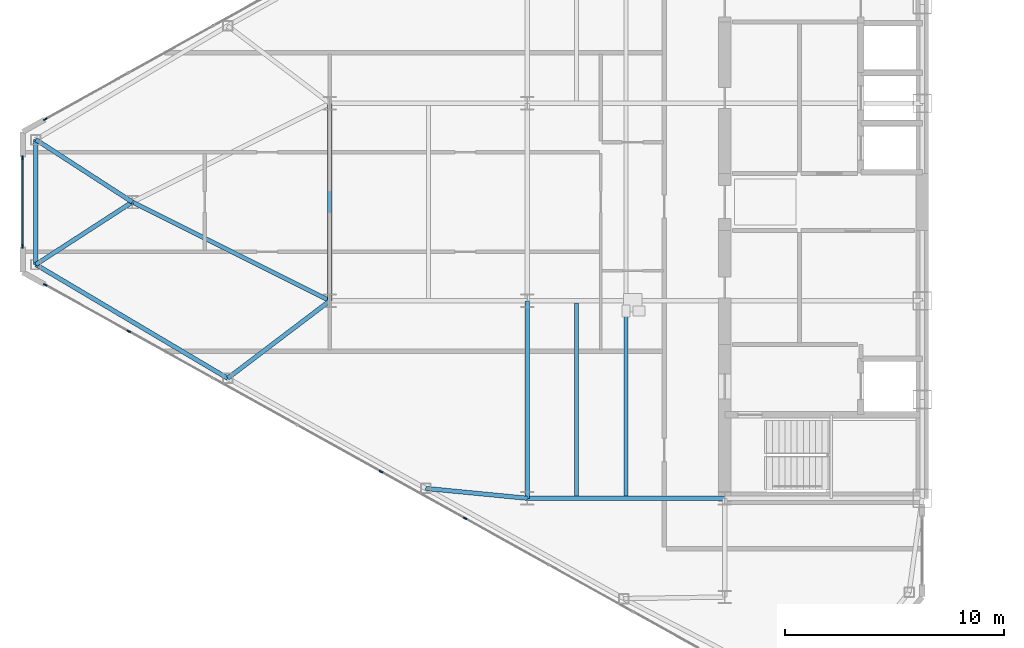
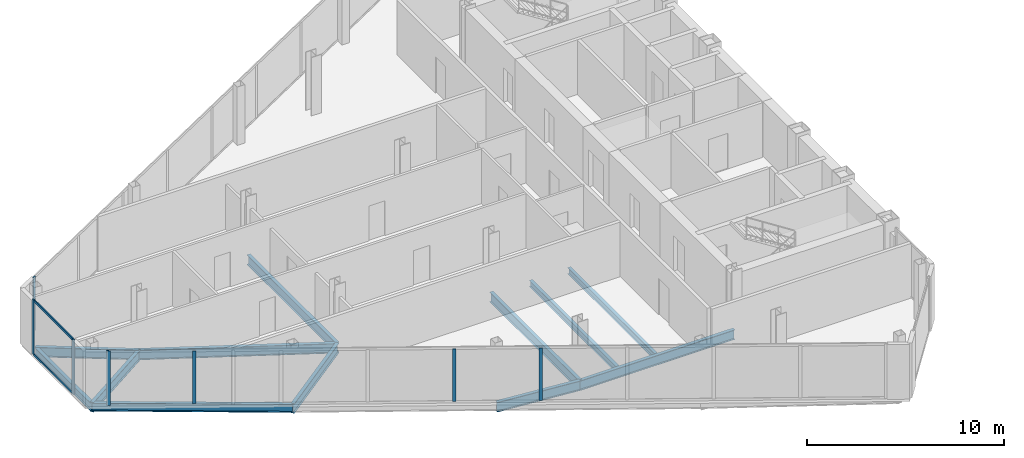
# One storey, part 5 of 25: 12 beams, 9 members, 3 elements without a shape of their own.
"""IFC4 building model written with IfcOpenShell, lengths in metres."""

from ifc_helpers import new_model, si_unit, direction, frame, origin, origin_2d, place, context, subcontext, project, spatial, rectangle, i_section, extrude, source, transform, mapped, material, layer, layer_set, material_profile, profile_set, type_object, type_shapes, element, aggregate, save


model = new_model("IFC4")

# Units and contexts
model_context = context("Model", 3, precision=1e-05, world=origin(), true_north=direction((0.0, 1.0)))
body_context = subcontext(model_context, "Body", "Model", "MODEL_VIEW")
ifc_project = project(units=[si_unit("LENGTHUNIT", "METRE"), si_unit("AREAUNIT", "SQUARE_METRE"), si_unit("VOLUMEUNIT", "CUBIC_METRE"), si_unit("PLANEANGLEUNIT", "RADIAN"), si_unit("MASSUNIT", "GRAM", prefix="KILO")], contexts=[model_context])

# Site, building, storey
site_placement = place(None, origin())
site = spatial("IfcSite", under=ifc_project, at=site_placement, CompositionType="ELEMENT")
building_placement = place(site_placement, origin())
building = spatial("IfcBuilding", under=site, at=building_placement, Name="Seokmaru Belvedere", CompositionType="ELEMENT")
storey_placement = place(building_placement, frame((0.0, 0.0, 188.699951171875)))
storey = spatial("IfcBuildingStorey", under=building, at=storey_placement, Name="L50", CompositionType="ELEMENT", Elevation=188.699951171875)

# Beams
ifc_material_1 = material(Name="Steel SM355 (355 MPa)", Category="steel")
ifc_material_profile_1 = material_profile(ifc_material_1, i_section(OverallWidth=0.199951171875, OverallDepth=0.60009765625, WebThickness=0.010986328125, FlangeThickness=0.01708984375, at=origin_2d()), Name="H-600x200x11x17")
ifc_profile_set_1 = profile_set([ifc_material_profile_1], Name="Steel SM355 (355 MPa)")
beam_type_1 = type_object("IfcBeamType", Name="Primary Floor Girder H-600", PredefinedType="BEAM", material=ifc_profile_set_1)
shared_shape_1 = source(origin(), body_context, "Body", "SweptSolid", [
    extrude(i_section(OverallWidth=0.199951171875, OverallDepth=0.60009765625, WebThickness=0.010986328125, FlangeThickness=0.01708984375, at=origin_2d()), origin(), (0.0, 0.0, 1.0), 9.0),
])
for number, where, z_axis, x_axis, name in (
    (1, (-45.5, -13.5, -0.52001953125), (0.0, 1.0, 0.0), (-1.0, 0.0, 0.0), "L50 W Interior Grid Girder 1"),
    (2, (-45.5, -13.5, -0.52001953125), (1.0, 0.0, 0.0), (0.0, 1.0, 0.0), "L50 W Wing Primary Girder 1"),
    (3, (-54.5, -4.5, -0.52001953125), (0.0, 1.0, 0.0), (-1.0, 0.0, 0.0), "L50 W Apex Frame Girder"),
):
    element("IfcBeam", number, at=place(storey_placement, frame(where, z_axis=z_axis, x_axis=x_axis)), inside=storey, type_object=beam_type_1, Name=name, PredefinedType="BEAM", context=body_context, shape_type="MappedRepresentation", body=[
        mapped(shared_shape_1, transform((0.0, 0.0, 0.0), scale=1.0)),
    ])
shared_shape_2 = source(origin(), body_context, "Body", "SweptSolid", [
    extrude(i_section(OverallWidth=0.199951171875, OverallDepth=0.60009765625, WebThickness=0.010986328125, FlangeThickness=0.01708984375, at=origin_2d()), origin(), (0.0, 0.0, 1.0), 10.062255859375),
])
beam_1_placement = place(storey_placement, frame((-54.5, -4.5, -0.52001953125), z_axis=(-0.894427191, 0.4472135955, 0.0), x_axis=(-0.4472135955, -0.894427191, 0.0)))
element("IfcBeam", 4, at=beam_1_placement, inside=storey, type_object=beam_type_1, Name="L50 W Apex Converging Girder 1", PredefinedType="BEAM", context=body_context, shape_type="MappedRepresentation", body=[
    mapped(shared_shape_2, transform((0.0, 0.0, 0.0), scale=1.0)),
])
ifc_material_profile_2 = material_profile(ifc_material_1, i_section(OverallWidth=0.18505859375, OverallDepth=0.389892578125, WebThickness=0.008056640625, FlangeThickness=0.011962890625, at=origin_2d()), Name="H-390x185x8x12")
ifc_profile_set_2 = profile_set([ifc_material_profile_2], Name="Steel SM355 (355 MPa)")
beam_type_2 = type_object("IfcBeamType", Name="Secondary Floor Joist H-350", PredefinedType="JOIST", material=ifc_profile_set_2)
shared_shape_3 = source(origin(), body_context, "Body", "SweptSolid", [
    extrude(i_section(OverallWidth=0.18505859375, OverallDepth=0.389892578125, WebThickness=0.008056640625, FlangeThickness=0.011962890625, at=origin_2d()), origin(), (0.0, 0.0, 1.0), 8.7900390625),
])
type_shapes(beam_type_2, [shared_shape_3])
for number, where, z_axis, x_axis, name in (
    (5, (-43.25, -13.39501953125, -0.4150390625), (0.0, 1.0, 0.0), (-1.0, 0.0, 0.0), "L50 W Wing Inner Secondary Joist 1"),
    (6, (-41.0, -13.39501953125, -0.4150390625), (0.0, 1.0, 0.0), (-1.0, 0.0, 0.0), "L50 W Secondary Floor Joist 1"),
):
    element("IfcBeam", number, at=place(storey_placement, frame(where, z_axis=z_axis, x_axis=x_axis)), inside=storey, type_object=beam_type_2, Name=name, PredefinedType="JOIST", context=body_context, shape_type="MappedRepresentation", body=[
        mapped(shared_shape_3, transform((0.0, 0.0, 0.0), scale=1.0)),
    ])
ifc_material_profile_3 = material_profile(ifc_material_1, i_section(OverallWidth=0.199951171875, OverallDepth=0.5, WebThickness=0.010009765625, FlangeThickness=0.01611328125, at=origin_2d()), Name="H-500x200x10x16")
ifc_profile_set_3 = profile_set([ifc_material_profile_3], Name="Steel SM355 (355 MPa)")
beam_type_3 = type_object("IfcBeamType", Name="Perimeter Spandrel Beam H-500", PredefinedType="SPANDREL", material=ifc_profile_set_3)
shared_shape_4 = source(origin(), body_context, "Body", "SweptSolid", [
    extrude(i_section(OverallWidth=0.199951171875, OverallDepth=0.5, WebThickness=0.010009765625, FlangeThickness=0.01611328125, at=origin_2d()), origin(), (0.0, 0.0, 1.0), 10.16650390625),
])
beam_2_placement = place(storey_placement, frame((-59.154541015625, -8.031494140625, -0.469970703125), z_axis=(-0.860209996506, 0.509939959124, 0.0), x_axis=(-0.509939959124, -0.860209996506, 0.0)))
element("IfcBeam", 7, at=beam_2_placement, inside=storey, type_object=beam_type_3, Name="L50 W Faceted Flank Spandrel S-4", PredefinedType="SPANDREL", context=body_context, shape_type="MappedRepresentation", body=[
    mapped(shared_shape_4, transform((0.0, 0.0, 0.0), scale=1.0)),
])
shared_shape_5 = source(origin(), body_context, "Body", "SweptSolid", [
    extrude(i_section(OverallWidth=0.199951171875, OverallDepth=0.5, WebThickness=0.010009765625, FlangeThickness=0.01611328125, at=origin_2d()), origin(), (0.0, 0.0, 1.0), 5.6943359375),
])
type_shapes(beam_type_3, [shared_shape_4, shared_shape_5])
beam_3_placement = place(storey_placement, frame((-67.89990234375, -2.84716796875, -0.469970703125), z_axis=(0.0, 1.0, 0.0), x_axis=(-1.0, 0.0, 0.0)))
element("IfcBeam", 8, at=beam_3_placement, inside=storey, type_object=beam_type_3, Name="L50 W Faceted Apex Spandrel", PredefinedType="SPANDREL", context=body_context, shape_type="MappedRepresentation", body=[
    mapped(shared_shape_5, transform((0.0, 0.0, 0.0), scale=1.0)),
])
shared_shape_6 = source(origin(), body_context, "Body", "SweptSolid", [
    extrude(i_section(OverallWidth=0.199951171875, OverallDepth=0.60009765625, WebThickness=0.010986328125, FlangeThickness=0.01708984375, at=origin_2d()), origin(), (0.0, 0.0, 1.0), 4.65087890625),
])
beam_4_placement = place(storey_placement, frame((-50.129150390625, -13.051025390625, -0.52001953125), z_axis=(0.995329534874, -0.09653557379, 0.0), x_axis=(0.09653557379, 0.995329534874, 0.0)))
element("IfcBeam", 9, at=beam_4_placement, inside=storey, type_object=beam_type_1, Name="L50 W Flank Radial Floor Girder S-2", PredefinedType="BEAM", context=body_context, shape_type="MappedRepresentation", body=[
    mapped(shared_shape_6, transform((0.0, 0.0, 0.0), scale=1.0)),
])
shared_shape_7 = source(origin(), body_context, "Body", "SweptSolid", [
    extrude(i_section(OverallWidth=0.199951171875, OverallDepth=0.60009765625, WebThickness=0.010986328125, FlangeThickness=0.01708984375, at=origin_2d()), origin(), (0.0, 0.0, 1.0), 5.842529296875),
])
beam_5_placement = place(storey_placement, frame((-59.154541015625, -8.031494140625, -0.52001953125), z_axis=(0.796653109879, 0.604436781243, 0.0), x_axis=(-0.604436781243, 0.796653109879, 0.0)))
element("IfcBeam", 10, at=beam_5_placement, inside=storey, type_object=beam_type_1, Name="L50 W Flank Radial Floor Girder S-3", PredefinedType="BEAM", context=body_context, shape_type="MappedRepresentation", body=[
    mapped(shared_shape_7, transform((0.0, 0.0, 0.0), scale=1.0)),
])
shared_shape_8 = source(origin(), body_context, "Body", "SweptSolid", [
    extrude(i_section(OverallWidth=0.199951171875, OverallDepth=0.60009765625, WebThickness=0.010986328125, FlangeThickness=0.01708984375, at=origin_2d()), origin(), (0.0, 0.0, 1.0), 5.24072265625),
])
type_shapes(beam_type_1, [shared_shape_1, shared_shape_2, shared_shape_6, shared_shape_7, shared_shape_8])
for number, where, z_axis, x_axis, name in (
    (11, (-67.89990234375, -2.84716796875, -0.52001953125), (0.839555158729, 0.543274456836, 0.0), (-0.543274456836, 0.839555158729, 0.0), "L50 W Apex Radial Floor Girder 1"),
    (12, (-67.89990234375, 2.84716796875, -0.52001953125), (0.839555158729, -0.543274456836, 0.0), (0.543274456836, 0.839555158729, 0.0), "L50 W Apex Radial Floor Girder 2"),
):
    element("IfcBeam", number, at=place(storey_placement, frame(where, z_axis=z_axis, x_axis=x_axis)), inside=storey, type_object=beam_type_1, Name=name, PredefinedType="BEAM", context=body_context, shape_type="MappedRepresentation", body=[
        mapped(shared_shape_8, transform((0.0, 0.0, 0.0), scale=1.0)),
    ])

# Curtain wall, members
ifc_material_2 = material(Name="Bronze Triple Insulating Glass", Category="glass")
ifc_layer = layer(ifc_material_2, 0.179931640625)
ifc_layer_set = layer_set([ifc_layer], Name="Bronze Triple Insulating Glass")
curtain_wall_type = type_object("IfcCurtainWallType", Name="High-Rise Wind-Corner Curtain Wall System CW-5", PredefinedType="NOTDEFINED", material=ifc_layer_set)
curtain_wall_1_placement = place(storey_placement, origin())
curtain_wall_1 = element("IfcCurtainWall", 13, at=curtain_wall_1_placement, inside=storey, type_object=curtain_wall_type, Name="L50 Curtain Wall WF4", PredefinedType="NOTDEFINED")
ifc_material_3 = material(Name="Anodised Bronze Aluminium", Category="aluminium")
ifc_material_profile_4 = material_profile(ifc_material_3, rectangle(XDim=0.06494140625, YDim=0.14990234375, at=origin_2d()), Name="CW-T-65x150")
ifc_profile_set_4 = profile_set([ifc_material_profile_4], Name="Anodised Bronze Aluminium")
member_type_1 = type_object("IfcMemberType", Name="Bronze Unitised Transom 65x150", PredefinedType="USERDEFINED", material=ifc_profile_set_4)
shared_shape_9 = source(origin(), body_context, "Body", "SweptSolid", [
    extrude(rectangle(XDim=0.06494140625, YDim=0.14990234375, at=origin_2d()), origin(), (0.0, 0.0, 1.0), 3.97021484375),
])
type_shapes(member_type_1, [shared_shape_9])
member_1_placement = place(storey_placement, frame((-68.5, 1.985107421875, 0.032470703125), z_axis=(0.0, -1.0, 0.0), x_axis=(1.0, 0.0, 0.0)))
member_1 = element("IfcMember", 14, at=member_1_placement, type_object=member_type_1, Name="CW:L50:WF4 Continuous Transom 1", ObjectType="TRANSOM", PredefinedType="USERDEFINED", context=body_context, shape_type="MappedRepresentation", body=[
    mapped(shared_shape_9, transform((0.0, 0.0, 0.0), scale=1.0)),
])
member_2_placement = place(storey_placement, frame((-68.5, 1.985107421875, 3.34765625), z_axis=(0.0, -1.0, 0.0), x_axis=(1.0, 0.0, 0.0)))
member_2 = element("IfcMember", 15, at=member_2_placement, type_object=member_type_1, Name="CW:L50:WF4 Continuous Transom 2", ObjectType="TRANSOM", PredefinedType="USERDEFINED", context=body_context, shape_type="MappedRepresentation", body=[
    mapped(shared_shape_9, transform((0.0, 0.0, 0.0), scale=1.0)),
])

curtain_wall_2_placement = place(storey_placement, origin())
curtain_wall_2 = element("IfcCurtainWall", 16, at=curtain_wall_2_placement, inside=storey, type_object=curtain_wall_type, Name="L50 Curtain Wall WF5", PredefinedType="NOTDEFINED")
ifc_material_profile_5 = material_profile(ifc_material_3, rectangle(XDim=0.06494140625, YDim=0.179931640625, at=origin_2d()), Name="CW-M-65x180")
ifc_profile_set_5 = profile_set([ifc_material_profile_5], Name="Anodised Bronze Aluminium")
member_type_2 = type_object("IfcMemberType", Name="Bronze Unitised Mullion 65x180", PredefinedType="MULLION", material=ifc_profile_set_5)
shared_shape_10 = source(origin(), body_context, "Body", "SweptSolid", [
    extrude(rectangle(XDim=0.06494140625, YDim=0.179931640625, at=origin_2d()), origin(), (0.0, 0.0, 1.0), 3.25),
])
member_3_placement = place(storey_placement, frame((-63.662841796875, -5.890380859375, 0.06494140625), z_axis=(0.0, 0.0, 1.0), x_axis=(0.486047125147, 0.873932601598, 0.0)))
member_3 = element("IfcMember", 17, at=member_3_placement, type_object=member_type_2, Name="CW:L50:WF5 Mullion 2", PredefinedType="MULLION", context=body_context, shape_type="MappedRepresentation", body=[
    mapped(shared_shape_10, transform((0.0, 0.0, 0.0), scale=1.0)),
])
member_4_placement = place(storey_placement, frame((-52.166015625, -12.2841796875, 0.06494140625), z_axis=(0.0, 0.0, 1.0), x_axis=(0.486047125147, 0.873932601598, 0.0)))
member_4 = element("IfcMember", 18, at=member_4_placement, type_object=member_type_2, Name="CW:L50:WF5 Mullion 5", PredefinedType="MULLION", context=body_context, shape_type="MappedRepresentation", body=[
    mapped(shared_shape_10, transform((0.0, 0.0, 0.0), scale=1.0)),
])
member_5_placement = place(storey_placement, frame((-48.333984375, -14.415771484375, 0.06494140625), z_axis=(0.0, 0.0, 1.0), x_axis=(0.486047125147, 0.873932601598, 0.0)))
member_5 = element("IfcMember", 19, at=member_5_placement, type_object=member_type_2, Name="CW:L50:WF5 Mullion 6", PredefinedType="MULLION", context=body_context, shape_type="MappedRepresentation", body=[
    mapped(shared_shape_10, transform((0.0, 0.0, 0.0), scale=1.0)),
])

# Curtain wall, member
curtain_wall_3_placement = place(storey_placement, origin())
curtain_wall_3 = element("IfcCurtainWall", 20, at=curtain_wall_3_placement, inside=storey, type_object=curtain_wall_type, Name="L50 Curtain Wall WF3", PredefinedType="NOTDEFINED")
shared_shape_11 = source(origin(), body_context, "Body", "SweptSolid", [
    extrude(rectangle(XDim=0.06494140625, YDim=0.179931640625, at=origin_2d()), origin(), (0.0, 0.0, 1.0), 3.380126953125),
])
type_shapes(member_type_2, [shared_shape_10, shared_shape_11])
member_6_placement = place(storey_placement, frame((-67.466552734375, 3.77490234375, 0.0), z_axis=(0.0, 0.0, 1.0), x_axis=(0.486047125147, -0.873932601598, 0.0)))
member_6 = element("IfcMember", 21, at=member_6_placement, type_object=member_type_2, Name="CW:L50:WF3 Mullion 10", PredefinedType="MULLION", context=body_context, shape_type="MappedRepresentation", body=[
    mapped(shared_shape_11, transform((0.0, 0.0, 0.0), scale=1.0)),
])
aggregate(curtain_wall_3, [member_6])

# Member
member_7_placement = place(storey_placement, frame((-68.5, 2.017578125, 0.0), z_axis=(0.0, 0.0, 1.0), x_axis=(1.0, 0.0, 0.0)))
member_7 = element("IfcMember", 22, at=member_7_placement, type_object=member_type_2, Name="CW:L50:WF4 Mullion 1", PredefinedType="MULLION", context=body_context, shape_type="MappedRepresentation", body=[
    mapped(shared_shape_11, transform((0.0, 0.0, 0.0), scale=1.0)),
])

member_8_placement = place(storey_placement, frame((-68.5, -2.017578125, 0.0), z_axis=(0.0, 0.0, 1.0), x_axis=(1.0, 0.0, 0.0)))
member_8 = element("IfcMember", 23, at=member_8_placement, type_object=member_type_2, Name="CW:L50:WF4 Mullion 2", PredefinedType="MULLION", context=body_context, shape_type="MappedRepresentation", body=[
    mapped(shared_shape_11, transform((0.0, 0.0, 0.0), scale=1.0)),
])

aggregate(curtain_wall_1, [member_7, member_8, member_1, member_2])

member_9_placement = place(storey_placement, frame((-67.466552734375, -3.77490234375, 0.0), z_axis=(0.0, 0.0, 1.0), x_axis=(0.486047125147, 0.873932601598, 0.0)))
member_9 = element("IfcMember", 24, at=member_9_placement, type_object=member_type_2, Name="CW:L50:WF5 Mullion 1", PredefinedType="MULLION", context=body_context, shape_type="MappedRepresentation", body=[
    mapped(shared_shape_11, transform((0.0, 0.0, 0.0), scale=1.0)),
])

aggregate(curtain_wall_2, [member_9, member_3, member_4, member_5])

save(model, "model.ifc")
